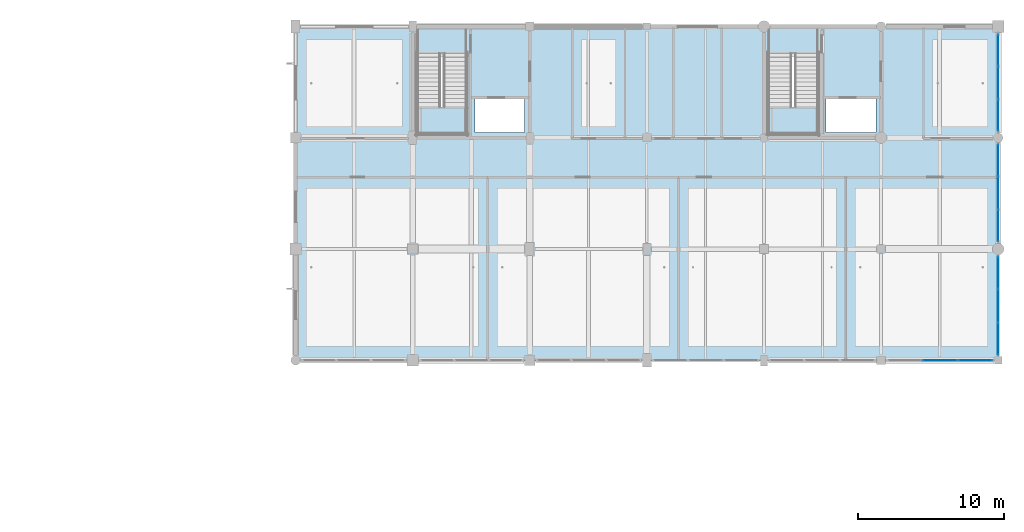
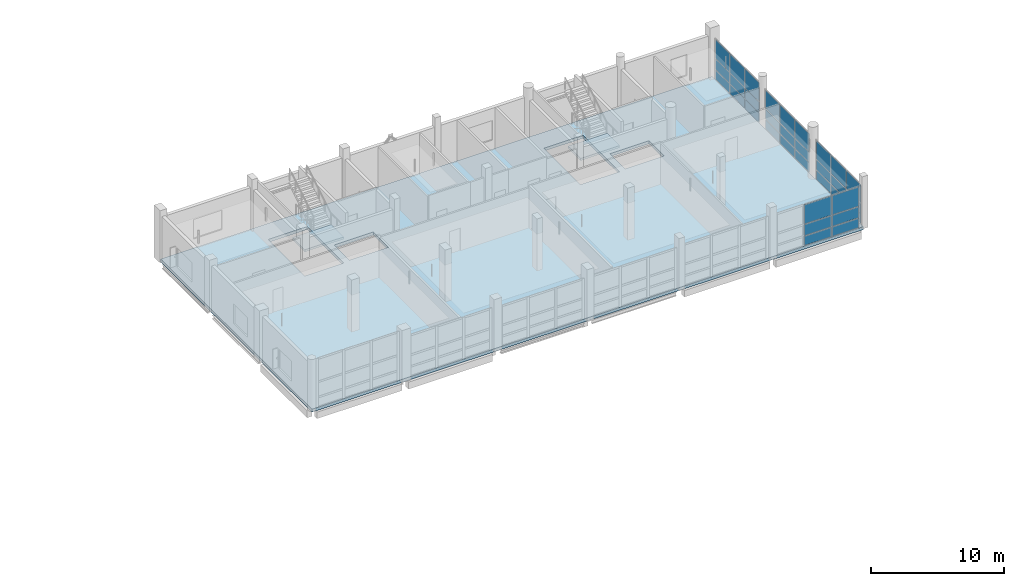
# One storey, part 26 of 46: 33 plates, 3 slabs, 6 elements without a shape of their own.
"""IFC4 building model written with IfcOpenShell, lengths in metres."""

from ifc_helpers import new_model, si_unit, direction, frame, origin, origin_2d, place, context, subcontext, project, spatial, polyline, rectangle, outline, extrude, material, layer, layer_set, type_object, element, aggregate, save


model = new_model("IFC4")

# Units and contexts
model_context = context("Model", 3, precision=1e-05, world=origin(), true_north=direction((0.0, 1.0)))
body_context = subcontext(model_context, "Body", "Model", "MODEL_VIEW")
ifc_project = project(units=[si_unit("LENGTHUNIT", "METRE"), si_unit("AREAUNIT", "SQUARE_METRE"), si_unit("VOLUMEUNIT", "CUBIC_METRE"), si_unit("PLANEANGLEUNIT", "RADIAN"), si_unit("MASSUNIT", "GRAM", prefix="KILO")], contexts=[model_context])

# Site, building, storey
site_placement = place(None, origin())
site = spatial("IfcSite", under=ifc_project, at=site_placement, CompositionType="ELEMENT")
building_placement = place(site_placement, origin())
building = spatial("IfcBuilding", under=site, at=building_placement, Name="Khelvaren Railside Concert Hall", CompositionType="ELEMENT")
storey_placement = place(building_placement, frame((0.0, 0.0, 19.800048828125)))
storey = spatial("IfcBuildingStorey", under=building, at=storey_placement, Name="L04", CompositionType="ELEMENT", Elevation=19.800048828125)

# Curtain wall, plates
ifc_material_1 = material(Name="Double-glazed clear foyer glass", Category="glass")
curtain_wall_type_1 = type_object("IfcCurtainWallType", Name="CW64", PredefinedType="USERDEFINED", material=ifc_material_1)
curtain_wall_1_placement = place(storey_placement, origin())
curtain_wall_1 = element("IfcCurtainWall", 1, at=curtain_wall_1_placement, inside=storey, type_object=curtain_wall_type_1, Name="Unitised Curtain Wall CW-V5-L04-E-106", ObjectType="UNITISED CURTAIN WALL", PredefinedType="USERDEFINED")
ifc_layer_1 = layer(ifc_material_1, 0.0439453125)
ifc_layer_set_1 = layer_set([ifc_layer_1], Name="Double-glazed clear foyer glass")
plate_type_1 = type_object("IfcPlateType", Name="CWP33", PredefinedType="CURTAIN_PANEL", material=ifc_layer_set_1)
plate_1_placement = place(storey_placement, frame((184.0, 112.386962890625, 0.06494140625), z_axis=(0.0, 0.0, 1.0), x_axis=(0.0, -1.0, 0.0)))
plate_1 = element("IfcPlate", 2, at=plate_1_placement, type_object=plate_type_1, Name="CW64 panel 1.1", PredefinedType="CURTAIN_PANEL", context=body_context, shape_type="SweptSolid", body=[
    extrude(rectangle(XDim=2.130859375, YDim=0.0439453125, at=origin_2d()), origin(), (0.0, 0.0, 1.0), 0.8525390625),
])
plate_2_placement = place(storey_placement, frame((184.0, 112.386962890625, 0.982421875), z_axis=(0.0, 0.0, 1.0), x_axis=(0.0, -1.0, 0.0)))
plate_2 = element("IfcPlate", 3, at=plate_2_placement, type_object=plate_type_1, Name="CW64 panel 1.2", PredefinedType="CURTAIN_PANEL", context=body_context, shape_type="SweptSolid", body=[
    extrude(rectangle(XDim=2.130859375, YDim=0.0439453125, at=origin_2d()), origin(), (0.0, 0.0, 1.0), 0.95068359375),
])
plate_3_placement = place(storey_placement, frame((184.0, 112.386962890625, 1.998046875), z_axis=(0.0, 0.0, 1.0), x_axis=(0.0, -1.0, 0.0)))
plate_3 = element("IfcPlate", 4, at=plate_3_placement, type_object=plate_type_1, Name="CW64 panel 1.3", PredefinedType="CURTAIN_PANEL", context=body_context, shape_type="SweptSolid", body=[
    extrude(rectangle(XDim=2.130859375, YDim=0.0439453125, at=origin_2d()), origin(), (0.0, 0.0, 1.0), 1.716796875),
])
plate_4_placement = place(storey_placement, frame((184.0, 110.16259765625, 0.06494140625), z_axis=(0.0, 0.0, 1.0), x_axis=(0.0, -1.0, 0.0)))
plate_4 = element("IfcPlate", 5, at=plate_4_placement, type_object=plate_type_1, Name="CW64 panel 2.1", PredefinedType="CURTAIN_PANEL", context=body_context, shape_type="SweptSolid", body=[
    extrude(rectangle(XDim=2.168212890625, YDim=0.0439453125, at=origin_2d()), origin(), (0.0, 0.0, 1.0), 0.8525390625),
])
plate_5_placement = place(storey_placement, frame((184.0, 110.16259765625, 0.982421875), z_axis=(0.0, 0.0, 1.0), x_axis=(0.0, -1.0, 0.0)))
plate_5 = element("IfcPlate", 6, at=plate_5_placement, type_object=plate_type_1, Name="CW64 panel 2.2", PredefinedType="CURTAIN_PANEL", context=body_context, shape_type="SweptSolid", body=[
    extrude(rectangle(XDim=2.168212890625, YDim=0.0439453125, at=origin_2d()), origin(), (0.0, 0.0, 1.0), 0.95068359375),
])
plate_6_placement = place(storey_placement, frame((184.0, 110.16259765625, 1.998046875), z_axis=(0.0, 0.0, 1.0), x_axis=(0.0, -1.0, 0.0)))
plate_6 = element("IfcPlate", 7, at=plate_6_placement, type_object=plate_type_1, Name="CW64 panel 2.3", PredefinedType="CURTAIN_PANEL", context=body_context, shape_type="SweptSolid", body=[
    extrude(rectangle(XDim=2.168212890625, YDim=0.0439453125, at=origin_2d()), origin(), (0.0, 0.0, 1.0), 1.716796875),
])
plate_7_placement = place(storey_placement, frame((184.0, 107.93798828125, 0.06494140625), z_axis=(0.0, 0.0, 1.0), x_axis=(0.0, -1.0, 0.0)))
plate_7 = element("IfcPlate", 8, at=plate_7_placement, type_object=plate_type_1, Name="CW64 panel 3.1", PredefinedType="CURTAIN_PANEL", context=body_context, shape_type="SweptSolid", body=[
    extrude(rectangle(XDim=2.130859375, YDim=0.0439453125, at=origin_2d()), origin(), (0.0, 0.0, 1.0), 0.8525390625),
])
plate_8_placement = place(storey_placement, frame((184.0, 107.93798828125, 0.982421875), z_axis=(0.0, 0.0, 1.0), x_axis=(0.0, -1.0, 0.0)))
plate_8 = element("IfcPlate", 9, at=plate_8_placement, type_object=plate_type_1, Name="CW64 panel 3.2", PredefinedType="CURTAIN_PANEL", context=body_context, shape_type="SweptSolid", body=[
    extrude(rectangle(XDim=2.130859375, YDim=0.0439453125, at=origin_2d()), origin(), (0.0, 0.0, 1.0), 0.95068359375),
])
plate_9_placement = place(storey_placement, frame((184.0, 107.93798828125, 1.998046875), z_axis=(0.0, 0.0, 1.0), x_axis=(0.0, -1.0, 0.0)))
plate_9 = element("IfcPlate", 10, at=plate_9_placement, type_object=plate_type_1, Name="CW64 panel 3.3", PredefinedType="CURTAIN_PANEL", context=body_context, shape_type="SweptSolid", body=[
    extrude(rectangle(XDim=2.130859375, YDim=0.0439453125, at=origin_2d()), origin(), (0.0, 0.0, 1.0), 1.716796875),
])
aggregate(curtain_wall_1, [plate_1, plate_2, plate_3, plate_4, plate_5, plate_6, plate_7, plate_8, plate_9])

ifc_material_2 = material(Name="Triple-glazed solar-control glass", Category="glass")
curtain_wall_type_2 = type_object("IfcCurtainWallType", Name="CW80", PredefinedType="USERDEFINED", material=ifc_material_2)
curtain_wall_2_placement = place(storey_placement, origin())
curtain_wall_2 = element("IfcCurtainWall", 11, at=curtain_wall_2_placement, inside=storey, type_object=curtain_wall_type_2, Name="Unitised Curtain Wall CW-V5-L04-S-176", ObjectType="UNITISED CURTAIN WALL", PredefinedType="USERDEFINED")
ifc_layer_2 = layer(ifc_material_2, 0.035888671875)
ifc_layer_set_2 = layer_set([ifc_layer_2], Name="Triple-glazed solar-control glass")
plate_type_2 = type_object("IfcPlateType", Name="CWP53", PredefinedType="CURTAIN_PANEL", material=ifc_layer_set_2)
plate_10_placement = place(storey_placement, frame((182.441162109375, 91.199951171875, 0.074951171875), z_axis=(0.0, 0.0, 1.0), x_axis=(-1.0, 0.0, 0.0)))
plate_10 = element("IfcPlate", 12, at=plate_10_placement, type_object=plate_type_2, Name="CW80 panel 1.1", PredefinedType="CURTAIN_PANEL", context=body_context, shape_type="SweptSolid", body=[
    extrude(rectangle(XDim=2.322509765625, YDim=0.035888671875, at=origin_2d()), origin(), (0.0, 0.0, 1.0), 0.83740234375),
])
plate_11_placement = place(storey_placement, frame((182.441162109375, 91.199951171875, 0.9873046875), z_axis=(0.0, 0.0, 1.0), x_axis=(-1.0, 0.0, 0.0)))
plate_11 = element("IfcPlate", 13, at=plate_11_placement, type_object=plate_type_2, Name="CW80 panel 1.2", PredefinedType="CURTAIN_PANEL", context=body_context, shape_type="SweptSolid", body=[
    extrude(rectangle(XDim=2.322509765625, YDim=0.035888671875, at=origin_2d()), origin(), (0.0, 0.0, 1.0), 0.99267578125),
])
plate_12_placement = place(storey_placement, frame((182.441162109375, 91.199951171875, 2.054931640625), z_axis=(0.0, 0.0, 1.0), x_axis=(-1.0, 0.0, 0.0)))
plate_12 = element("IfcPlate", 14, at=plate_12_placement, type_object=plate_type_2, Name="CW80 panel 1.3", PredefinedType="CURTAIN_PANEL", context=body_context, shape_type="SweptSolid", body=[
    extrude(rectangle(XDim=2.322509765625, YDim=0.035888671875, at=origin_2d()), origin(), (0.0, 0.0, 1.0), 1.75),
])
plate_13_placement = place(storey_placement, frame((180.02490234375, 91.199951171875, 0.074951171875), z_axis=(0.0, 0.0, 1.0), x_axis=(-1.0, 0.0, 0.0)))
plate_13 = element("IfcPlate", 15, at=plate_13_placement, type_object=plate_type_2, Name="CW80 panel 2.1", PredefinedType="CURTAIN_PANEL", context=body_context, shape_type="SweptSolid", body=[
    extrude(rectangle(XDim=2.360107421875, YDim=0.035888671875, at=origin_2d()), origin(), (0.0, 0.0, 1.0), 0.83740234375),
])
plate_14_placement = place(storey_placement, frame((180.02490234375, 91.199951171875, 0.9873046875), z_axis=(0.0, 0.0, 1.0), x_axis=(-1.0, 0.0, 0.0)))
plate_14 = element("IfcPlate", 16, at=plate_14_placement, type_object=plate_type_2, Name="CW80 panel 2.2", PredefinedType="CURTAIN_PANEL", context=body_context, shape_type="SweptSolid", body=[
    extrude(rectangle(XDim=2.360107421875, YDim=0.035888671875, at=origin_2d()), origin(), (0.0, 0.0, 1.0), 0.99267578125),
])
plate_15_placement = place(storey_placement, frame((180.02490234375, 91.199951171875, 2.054931640625), z_axis=(0.0, 0.0, 1.0), x_axis=(-1.0, 0.0, 0.0)))
plate_15 = element("IfcPlate", 17, at=plate_15_placement, type_object=plate_type_2, Name="CW80 panel 2.3", PredefinedType="CURTAIN_PANEL", context=body_context, shape_type="SweptSolid", body=[
    extrude(rectangle(XDim=2.360107421875, YDim=0.035888671875, at=origin_2d()), origin(), (0.0, 0.0, 1.0), 1.75),
])
aggregate(curtain_wall_2, [plate_10, plate_11, plate_12, plate_13, plate_14, plate_15])

ifc_material_3 = material(Name="Double-glazed low-E dark acoustic glass", Category="glass")
curtain_wall_type_3 = type_object("IfcCurtainWallType", Name="CW32", PredefinedType="USERDEFINED", material=ifc_material_3)
curtain_wall_3_placement = place(storey_placement, origin())
curtain_wall_3 = element("IfcCurtainWall", 18, at=curtain_wall_3_placement, inside=storey, type_object=curtain_wall_type_3, Name="Unitised Curtain Wall CW-V5-L04-E-91", ObjectType="UNITISED CURTAIN WALL", PredefinedType="USERDEFINED")
ifc_layer_3 = layer(ifc_material_3, 0.031982421875)
ifc_layer_set_3 = layer_set([ifc_layer_3], Name="Double-glazed low-E dark acoustic glass")
plate_type_3 = type_object("IfcPlateType", Name="CWP84", PredefinedType="CURTAIN_PANEL", material=ifc_layer_set_3)
plate_16_placement = place(storey_placement, frame((184.0, 97.180419921875, 0.06494140625), z_axis=(0.0, 0.0, 1.0), x_axis=(0.0, -1.0, 0.0)))
plate_16 = element("IfcPlate", 19, at=plate_16_placement, type_object=plate_type_3, Name="CW32 panel 1.1", PredefinedType="CURTAIN_PANEL", context=body_context, shape_type="SweptSolid", body=[
    extrude(rectangle(XDim=2.174072265625, YDim=0.031982421875, at=origin_2d()), origin(), (0.0, 0.0, 1.0), 0.8525390625),
])
plate_17_placement = place(storey_placement, frame((184.0, 97.180419921875, 0.982421875), z_axis=(0.0, 0.0, 1.0), x_axis=(0.0, -1.0, 0.0)))
plate_17 = element("IfcPlate", 20, at=plate_17_placement, type_object=plate_type_3, Name="CW32 panel 1.2", PredefinedType="CURTAIN_PANEL", context=body_context, shape_type="SweptSolid", body=[
    extrude(rectangle(XDim=2.174072265625, YDim=0.031982421875, at=origin_2d()), origin(), (0.0, 0.0, 1.0), 0.898681640625),
])
plate_18_placement = place(storey_placement, frame((184.0, 97.180419921875, 1.946044921875), z_axis=(0.0, 0.0, 1.0), x_axis=(0.0, -1.0, 0.0)))
plate_18 = element("IfcPlate", 21, at=plate_18_placement, type_object=plate_type_3, Name="CW32 panel 1.3", PredefinedType="CURTAIN_PANEL", context=body_context, shape_type="SweptSolid", body=[
    extrude(rectangle(XDim=2.174072265625, YDim=0.031982421875, at=origin_2d()), origin(), (0.0, 0.0, 1.0), 1.6689453125),
])
plate_19_placement = place(storey_placement, frame((184.0, 94.925048828125, 0.06494140625), z_axis=(0.0, 0.0, 1.0), x_axis=(0.0, -1.0, 0.0)))
plate_19 = element("IfcPlate", 22, at=plate_19_placement, type_object=plate_type_3, Name="CW32 panel 2.1", PredefinedType="CURTAIN_PANEL", context=body_context, shape_type="SweptSolid", body=[
    extrude(rectangle(XDim=2.206787109375, YDim=0.031982421875, at=origin_2d()), origin(), (0.0, 0.0, 1.0), 0.8525390625),
])
plate_20_placement = place(storey_placement, frame((184.0, 94.925048828125, 0.982421875), z_axis=(0.0, 0.0, 1.0), x_axis=(0.0, -1.0, 0.0)))
plate_20 = element("IfcPlate", 23, at=plate_20_placement, type_object=plate_type_3, Name="CW32 panel 2.2", PredefinedType="CURTAIN_PANEL", context=body_context, shape_type="SweptSolid", body=[
    extrude(rectangle(XDim=2.206787109375, YDim=0.031982421875, at=origin_2d()), origin(), (0.0, 0.0, 1.0), 0.898681640625),
])
plate_21_placement = place(storey_placement, frame((184.0, 94.925048828125, 1.946044921875), z_axis=(0.0, 0.0, 1.0), x_axis=(0.0, -1.0, 0.0)))
plate_21 = element("IfcPlate", 24, at=plate_21_placement, type_object=plate_type_3, Name="CW32 panel 2.3", PredefinedType="CURTAIN_PANEL", context=body_context, shape_type="SweptSolid", body=[
    extrude(rectangle(XDim=2.206787109375, YDim=0.031982421875, at=origin_2d()), origin(), (0.0, 0.0, 1.0), 1.6689453125),
])
plate_22_placement = place(storey_placement, frame((184.0, 92.669677734375, 0.06494140625), z_axis=(0.0, 0.0, 1.0), x_axis=(0.0, -1.0, 0.0)))
plate_22 = element("IfcPlate", 25, at=plate_22_placement, type_object=plate_type_3, Name="CW32 panel 3.1", PredefinedType="CURTAIN_PANEL", context=body_context, shape_type="SweptSolid", body=[
    extrude(rectangle(XDim=2.174072265625, YDim=0.031982421875, at=origin_2d()), origin(), (0.0, 0.0, 1.0), 0.8525390625),
])
plate_23_placement = place(storey_placement, frame((184.0, 92.669677734375, 0.982421875), z_axis=(0.0, 0.0, 1.0), x_axis=(0.0, -1.0, 0.0)))
plate_23 = element("IfcPlate", 26, at=plate_23_placement, type_object=plate_type_3, Name="CW32 panel 3.2", PredefinedType="CURTAIN_PANEL", context=body_context, shape_type="SweptSolid", body=[
    extrude(rectangle(XDim=2.174072265625, YDim=0.031982421875, at=origin_2d()), origin(), (0.0, 0.0, 1.0), 0.898681640625),
])
plate_24_placement = place(storey_placement, frame((184.0, 92.669677734375, 1.946044921875), z_axis=(0.0, 0.0, 1.0), x_axis=(0.0, -1.0, 0.0)))
plate_24 = element("IfcPlate", 27, at=plate_24_placement, type_object=plate_type_3, Name="CW32 panel 3.3", PredefinedType="CURTAIN_PANEL", context=body_context, shape_type="SweptSolid", body=[
    extrude(rectangle(XDim=2.174072265625, YDim=0.031982421875, at=origin_2d()), origin(), (0.0, 0.0, 1.0), 1.6689453125),
])
aggregate(curtain_wall_3, [plate_16, plate_17, plate_18, plate_19, plate_20, plate_21, plate_22, plate_23, plate_24])

curtain_wall_type_4 = type_object("IfcCurtainWallType", Name="CW94", PredefinedType="USERDEFINED", material=ifc_material_3)
curtain_wall_4_placement = place(storey_placement, origin())
curtain_wall_4 = element("IfcCurtainWall", 28, at=curtain_wall_4_placement, inside=storey, type_object=curtain_wall_type_4, Name="Unitised Curtain Wall CW-V5-L04-E-99", ObjectType="UNITISED CURTAIN WALL", PredefinedType="USERDEFINED")
plate_25_placement = place(storey_placement, frame((184.0, 104.867919921875, 0.06494140625), z_axis=(0.0, 0.0, 1.0), x_axis=(0.0, -1.0, 0.0)))
plate_25 = element("IfcPlate", 29, at=plate_25_placement, type_object=plate_type_3, Name="CW94 panel 1.1", PredefinedType="CURTAIN_PANEL", context=body_context, shape_type="SweptSolid", body=[
    extrude(rectangle(XDim=2.149169921875, YDim=0.031982421875, at=origin_2d()), origin(), (0.0, 0.0, 1.0), 0.8525390625),
])
plate_26_placement = place(storey_placement, frame((184.0, 104.867919921875, 0.982421875), z_axis=(0.0, 0.0, 1.0), x_axis=(0.0, -1.0, 0.0)))
plate_26 = element("IfcPlate", 30, at=plate_26_placement, type_object=plate_type_3, Name="CW94 panel 1.2", PredefinedType="CURTAIN_PANEL", context=body_context, shape_type="SweptSolid", body=[
    extrude(rectangle(XDim=2.149169921875, YDim=0.031982421875, at=origin_2d()), origin(), (0.0, 0.0, 1.0), 0.898681640625),
])
plate_27_placement = place(storey_placement, frame((184.0, 104.867919921875, 1.946044921875), z_axis=(0.0, 0.0, 1.0), x_axis=(0.0, -1.0, 0.0)))
plate_27 = element("IfcPlate", 31, at=plate_27_placement, type_object=plate_type_3, Name="CW94 panel 1.3", PredefinedType="CURTAIN_PANEL", context=body_context, shape_type="SweptSolid", body=[
    extrude(rectangle(XDim=2.149169921875, YDim=0.031982421875, at=origin_2d()), origin(), (0.0, 0.0, 1.0), 1.6689453125),
])
plate_28_placement = place(storey_placement, frame((184.0, 102.637451171875, 0.06494140625), z_axis=(0.0, 0.0, 1.0), x_axis=(0.0, -1.0, 0.0)))
plate_28 = element("IfcPlate", 32, at=plate_28_placement, type_object=plate_type_3, Name="CW94 panel 2.1", PredefinedType="CURTAIN_PANEL", context=body_context, shape_type="SweptSolid", body=[
    extrude(rectangle(XDim=2.181640625, YDim=0.031982421875, at=origin_2d()), origin(), (0.0, 0.0, 1.0), 0.8525390625),
])
plate_29_placement = place(storey_placement, frame((184.0, 102.637451171875, 0.982421875), z_axis=(0.0, 0.0, 1.0), x_axis=(0.0, -1.0, 0.0)))
plate_29 = element("IfcPlate", 33, at=plate_29_placement, type_object=plate_type_3, Name="CW94 panel 2.2", PredefinedType="CURTAIN_PANEL", context=body_context, shape_type="SweptSolid", body=[
    extrude(rectangle(XDim=2.181640625, YDim=0.031982421875, at=origin_2d()), origin(), (0.0, 0.0, 1.0), 0.898681640625),
])
plate_30_placement = place(storey_placement, frame((184.0, 102.637451171875, 1.946044921875), z_axis=(0.0, 0.0, 1.0), x_axis=(0.0, -1.0, 0.0)))
plate_30 = element("IfcPlate", 34, at=plate_30_placement, type_object=plate_type_3, Name="CW94 panel 2.3", PredefinedType="CURTAIN_PANEL", context=body_context, shape_type="SweptSolid", body=[
    extrude(rectangle(XDim=2.181640625, YDim=0.031982421875, at=origin_2d()), origin(), (0.0, 0.0, 1.0), 1.6689453125),
])
plate_31_placement = place(storey_placement, frame((184.0, 100.406982421875, 0.06494140625), z_axis=(0.0, 0.0, 1.0), x_axis=(0.0, -1.0, 0.0)))
plate_31 = element("IfcPlate", 35, at=plate_31_placement, type_object=plate_type_3, Name="CW94 panel 3.1", PredefinedType="CURTAIN_PANEL", context=body_context, shape_type="SweptSolid", body=[
    extrude(rectangle(XDim=2.149169921875, YDim=0.031982421875, at=origin_2d()), origin(), (0.0, 0.0, 1.0), 0.8525390625),
])
plate_32_placement = place(storey_placement, frame((184.0, 100.406982421875, 0.982421875), z_axis=(0.0, 0.0, 1.0), x_axis=(0.0, -1.0, 0.0)))
plate_32 = element("IfcPlate", 36, at=plate_32_placement, type_object=plate_type_3, Name="CW94 panel 3.2", PredefinedType="CURTAIN_PANEL", context=body_context, shape_type="SweptSolid", body=[
    extrude(rectangle(XDim=2.149169921875, YDim=0.031982421875, at=origin_2d()), origin(), (0.0, 0.0, 1.0), 0.898681640625),
])
plate_33_placement = place(storey_placement, frame((184.0, 100.406982421875, 1.946044921875), z_axis=(0.0, 0.0, 1.0), x_axis=(0.0, -1.0, 0.0)))
plate_33 = element("IfcPlate", 37, at=plate_33_placement, type_object=plate_type_3, Name="CW94 panel 3.3", PredefinedType="CURTAIN_PANEL", context=body_context, shape_type="SweptSolid", body=[
    extrude(rectangle(XDim=2.149169921875, YDim=0.031982421875, at=origin_2d()), origin(), (0.0, 0.0, 1.0), 1.6689453125),
])
aggregate(curtain_wall_4, [plate_25, plate_26, plate_27, plate_28, plate_29, plate_30, plate_31, plate_32, plate_33])

# Slab
ifc_material_4 = material(Name="Concrete C40/50", Category="concrete")
ifc_layer_4 = layer(ifc_material_4, 0.27001953125)
ifc_layer_set_4 = layer_set([ifc_layer_4], Name="Concrete C40/50")
slab_type_1 = type_object("IfcSlabType", Name="FS19", PredefinedType="FLOOR", material=ifc_layer_set_4)
slab_1_placement = place(storey_placement, frame((0.0, 0.0, -0.27001953125)))
element("IfcSlab", 38, at=slab_1_placement, inside=storey, type_object=slab_type_1, Name="V5 L04 Structural Floor Slab", PredefinedType="FLOOR", context=body_context, shape_type="SweptSolid", body=[
    extrude(outline(polyline([(136.0, 91.199951171875), (184.0, 91.199951171875), (184.0, 114.0), (136.0, 114.0), (136.0, 91.199951171875)]), holes=[polyline([(144.300048828125, 112.159912109375), (144.300048828125, 106.639892578125), (147.699951171875, 106.639892578125), (147.699951171875, 112.159912109375), (144.300048828125, 112.159912109375)]), polyline([(148.25, 106.75), (151.64990234375, 106.75), (151.64990234375, 109.050048828125), (148.25, 109.050048828125), (148.25, 106.75)]), polyline([(168.300048828125, 112.159912109375), (168.300048828125, 106.639892578125), (171.699951171875, 106.639892578125), (171.699951171875, 112.159912109375), (168.300048828125, 112.159912109375)]), polyline([(172.25, 106.75), (175.64990234375, 106.75), (175.64990234375, 109.050048828125), (172.25, 109.050048828125), (172.25, 106.75)])]), origin(), (0.0, 0.0, 1.0), 0.27001953125),
])

# Stair, slab
stair_type = type_object("IfcStairType", Name="ST52", PredefinedType="HALF_TURN_STAIR", material=ifc_material_4)
stair_1_placement = place(storey_placement, origin())
stair_1 = element("IfcStair", 39, at=stair_1_placement, inside=storey, type_object=stair_type, Name="L04 Core Exit Stair ST-09", PredefinedType="HALF_TURN_STAIR")
ifc_layer_5 = layer(ifc_material_4, 0.199951171875)
ifc_layer_set_5 = layer_set([ifc_layer_5], Name="Concrete C40/50")
slab_type_2 = type_object("IfcSlabType", Name="LND67", PredefinedType="LANDING", material=ifc_layer_set_5)
slab_2_placement = place(storey_placement, frame((0.0, 0.0, 2.199951171875)))
slab_2 = element("IfcSlab", 40, at=slab_2_placement, type_object=slab_type_2, Name="ST-09 landing 1", PredefinedType="LANDING", context=body_context, shape_type="SweptSolid", body=[
    extrude(outline(polyline([(144.300048828125, 108.52001953125), (144.300048828125, 106.639892578125), (147.699951171875, 106.639892578125), (147.699951171875, 108.52001953125), (144.300048828125, 108.52001953125)])), origin(), (0.0, 0.0, 1.0), 0.199951171875),
])
aggregate(stair_1, [slab_2])

stair_2_placement = place(storey_placement, origin())
stair_2 = element("IfcStair", 41, at=stair_2_placement, inside=storey, type_object=stair_type, Name="L04 Core Exit Stair ST-10", PredefinedType="HALF_TURN_STAIR")
slab_3_placement = place(storey_placement, frame((0.0, 0.0, 2.199951171875)))
slab_3 = element("IfcSlab", 42, at=slab_3_placement, type_object=slab_type_2, Name="ST-10 landing 1", PredefinedType="LANDING", context=body_context, shape_type="SweptSolid", body=[
    extrude(outline(polyline([(168.300048828125, 108.52001953125), (168.300048828125, 106.639892578125), (171.699951171875, 106.639892578125), (171.699951171875, 108.52001953125), (168.300048828125, 108.52001953125)])), origin(), (0.0, 0.0, 1.0), 0.199951171875),
])
aggregate(stair_2, [slab_3])

save(model, "model.ifc")
